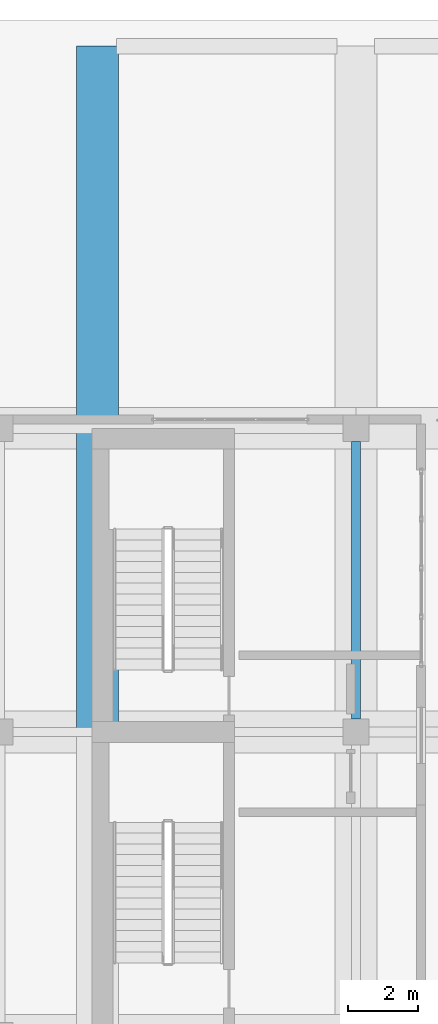
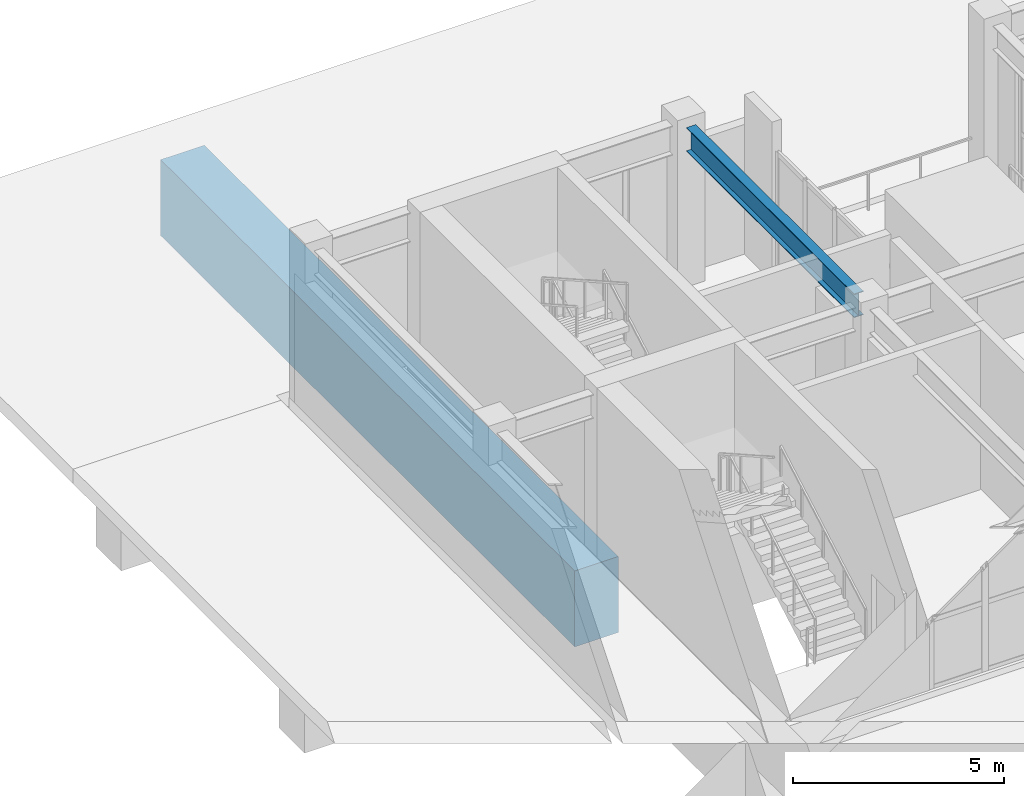
# One storey, part 8 of 16: 2 beams.
"""IFC4 building model written with IfcOpenShell, lengths in metres."""

import ifcopenshell
import ifcopenshell.guid

model = None  # the IFC model being written
_history = None  # IfcOwnerHistory: only IFC2X3 demands one
_inside = {}  # id of a spatial element -> (the spatial element, [elements in it])
_under = {}  # id of a project, library or spatial element -> (it, [spatial elements below it])
_declared = {}  # id of a project -> (the project, [libraries it declares])
_typed = {}  # id of a type object -> (the type object, [elements of that type])
_made_of = {}  # id of a material, layer set ... -> (it, [elements and type objects made of it])


def new_model(schema):
    """Start an empty IFC model of exactly this schema.

    Asked for "IFC4X3", IfcOpenShell would pick the latest addendum, in which some entities
    have other attributes; the version numbers below select the first issue.
    IFC2X3 requires an IfcOwnerHistory on every rooted entity: one is made here for all.
    """
    global model, _history
    if schema == "IFC4X3":
        model = ifcopenshell.file(schema_version=(4, 3, 0, 0))
    else:
        model = ifcopenshell.file(schema=schema)
    _inside.clear()
    _under.clear()
    _declared.clear()
    _typed.clear()
    _made_of.clear()
    _history = None
    if model.schema == "IFC2X3":
        org = make("IfcOrganization", Name="unknown")
        user = make(
            "IfcPersonAndOrganization",
            ThePerson=make("IfcPerson", FamilyName="unknown"),
            TheOrganization=org,
        )
        app = make(
            "IfcApplication",
            ApplicationDeveloper=org,
            Version="unknown",
            ApplicationFullName="unknown",
            ApplicationIdentifier="unknown",
        )
        _history = make(
            "IfcOwnerHistory",
            OwningUser=user,
            OwningApplication=app,
            ChangeAction="ADDED",
            CreationDate=0,
        )
    return model


def make(cls, **values):
    """One entity of the class cls with the attributes given. An attribute that is None is left unset."""
    return model.create_entity(
        cls, **{name: value for name, value in values.items() if value is not None}
    )


def rooted(cls, **values):
    """An entity with a GlobalId (a new one), such as an element, a storey or a relation."""
    return make(cls, GlobalId=ifcopenshell.guid.new(), OwnerHistory=_history, **values)


def si_unit(unit_type, name, prefix=None):
    """IfcSIUnit, for example si_unit("LENGTHUNIT", "METRE", prefix="MILLI")."""
    return make("IfcSIUnit", UnitType=unit_type, Prefix=prefix, Name=name)


def assignment(units):
    """IfcUnitAssignment: the units of a project."""
    return None if units is None else make("IfcUnitAssignment", Units=units)


def point(xyz):
    """IfcCartesianPoint."""
    return None if xyz is None else make("IfcCartesianPoint", Coordinates=xyz)


def direction(xyz):
    """IfcDirection."""
    return None if xyz is None else make("IfcDirection", DirectionRatios=xyz)


def frame(location, z_axis=None, x_axis=None):
    """IfcAxis2Placement3D, a coordinate frame: its origin and axes. An axis left out is left unset."""
    return make(
        "IfcAxis2Placement3D",
        Location=point(location),
        Axis=direction(z_axis),
        RefDirection=direction(x_axis),
    )


def frame_2d(location, x_axis=None):
    """IfcAxis2Placement2D, a coordinate frame in the plane: its origin and x axis."""
    return make(
        "IfcAxis2Placement2D", Location=point(location), RefDirection=direction(x_axis)
    )


def origin():
    """The frame at (0, 0, 0) with its axes left unset."""
    return frame((0.0, 0.0, 0.0))


def origin_2d():
    """The frame at (0, 0) in the plane with its x axis left unset."""
    return frame_2d((0.0, 0.0))


def place(relative_to, where):
    """IfcLocalPlacement: puts the frame where relative to a parent placement (None: the world)."""
    return make(
        "IfcLocalPlacement", PlacementRelTo=relative_to, RelativePlacement=where
    )


def context(
    kind, dimensions, precision=None, world=None, true_north=None, identifier=None
):
    """IfcGeometricRepresentationContext, for example the 3D "Model" context."""
    return make(
        "IfcGeometricRepresentationContext",
        ContextIdentifier=identifier,
        ContextType=kind,
        CoordinateSpaceDimension=dimensions,
        Precision=precision,
        WorldCoordinateSystem=world,
        TrueNorth=true_north,
    )


def subcontext(parent, identifier, kind, view, scale=None):
    """IfcGeometricRepresentationSubContext, for example "Body" below "Model"."""
    return make(
        "IfcGeometricRepresentationSubContext",
        ContextIdentifier=identifier,
        ContextType=kind,
        ParentContext=parent,
        TargetScale=scale,
        TargetView=view,
    )


def project(units=None, contexts=None):
    """IfcProject with its units and contexts."""
    return rooted(
        "IfcProject",
        Name="project",
        RepresentationContexts=contexts,
        UnitsInContext=assignment(units),
    )


def spatial(cls, under=None, at=None, **own):
    """A site, building, storey or space (cls), placed at a placement, below another one or the project."""
    s = rooted(cls, ObjectPlacement=at, **own)
    if under is not None:
        _under.setdefault(under.id(), (under, []))[1].append(s)
    return s


def profile(cls, at=None, kind="AREA", **sizes):
    """A parametric profile (cls). Its sizes go by their IFC names, for example OverallWidth=200.0."""
    return make(cls, ProfileType=kind, Position=at, **sizes)


def rectangle(**sizes):
    """IfcRectangleProfileDef."""
    return profile("IfcRectangleProfileDef", **sizes)


def i_section(**sizes):
    """IfcIShapeProfileDef."""
    return profile("IfcIShapeProfileDef", **sizes)


def extrude(swept, where, along, depth):
    """IfcExtrudedAreaSolid: the profile swept, set in the frame where, extruded along a direction by depth."""
    return make(
        "IfcExtrudedAreaSolid",
        SweptArea=swept,
        Position=where,
        ExtrudedDirection=direction(along),
        Depth=depth,
    )


def shape(context_of_items, identifier, shape_type, items):
    """IfcShapeRepresentation: the items that make up one representation, for example the "Body"."""
    return make(
        "IfcShapeRepresentation",
        ContextOfItems=context_of_items,
        RepresentationIdentifier=identifier,
        RepresentationType=shape_type,
        Items=items,
    )


def material(Name=None, Category=None):
    """IfcMaterial."""
    return make("IfcMaterial", Name=Name, Category=Category)


def material_profile(
    of_material, cross_section, Name=None, Category=None, Priority=None
):
    """IfcMaterialProfile: a cross section and its material."""
    return make(
        "IfcMaterialProfile",
        Name=Name,
        Material=of_material,
        Profile=cross_section,
        Priority=Priority,
        Category=Category,
    )


def profile_set(profiles, Name=None, composite=None):
    """IfcMaterialProfileSet."""
    return make(
        "IfcMaterialProfileSet",
        Name=Name,
        MaterialProfiles=profiles,
        CompositeProfile=composite,
    )


def made_of(thing, what):
    """Note that an element or type object is made of a material, layer set ...; save() writes the relation."""
    if what is not None:
        _made_of.setdefault(what.id(), (what, []))[1].append(thing)
    return thing


def type_object(cls, material=None, **own):
    """A type object (cls), such as IfcWallType, which elements share."""
    return made_of(rooted(cls, **own), material)


def element(
    cls,
    number,
    at=None,
    inside=None,
    cuts=None,
    type_object=None,
    material=None,
    context=None,
    identifier="Body",
    shape_type=None,
    held_by="IfcProductDefinitionShape",
    body=None,
    shapes=None,
    **own,
):
    """One element of the class cls, such as IfcWall. Its Tag is "e" and its number.

    at: its placement. inside: the storey or other place that contains it. cuts: it is an
    opening in that element (IfcRelVoidsElement). A single representation is given by context,
    identifier, shape_type and body (its items); several are given by shapes. held_by: the class
    of the entity that holds the representations. save() writes the other relations.
    """
    e = rooted(cls, Tag="e%d" % number, ObjectPlacement=at, **own)
    if body is not None:
        shapes = [shape(context, identifier, shape_type, body)]
    if shapes is not None:
        e.Representation = make(held_by, Representations=shapes)
    if inside is not None:
        _inside.setdefault(inside.id(), (inside, []))[1].append(e)
    if cuts is not None:
        rooted(
            "IfcRelVoidsElement", RelatingBuildingElement=cuts, RelatedOpeningElement=e
        )
    if type_object is not None:
        _typed.setdefault(type_object.id(), (type_object, []))[1].append(e)
    return made_of(e, material)


def aggregate(whole, parts):
    """IfcRelAggregates: a whole, such as a stair, and the parts it consists of."""
    return rooted("IfcRelAggregates", RelatingObject=whole, RelatedObjects=parts)


def save(model, path):
    """Write the relations noted so far, then the file.

    IfcRelAggregates (storeys below a building ...), IfcRelContainedInSpatialStructure (elements
    in a storey), IfcRelDefinesByType, IfcRelAssociatesMaterial and IfcRelDeclares: one each for
    every whole, place, type object, material and project.
    """
    for whole, parts in _under.values():
        aggregate(whole, parts)
    for where, things in _inside.values():
        rooted(
            "IfcRelContainedInSpatialStructure",
            RelatedElements=things,
            RelatingStructure=where,
        )
    for kind, things in _typed.values():
        rooted("IfcRelDefinesByType", RelatedObjects=things, RelatingType=kind)
    for what, things in _made_of.values():
        rooted("IfcRelAssociatesMaterial", RelatedObjects=things, RelatingMaterial=what)
    for by, libraries in _declared.values():
        rooted("IfcRelDeclares", RelatingContext=by, RelatedDefinitions=libraries)
    model.write(path)


model = new_model("IFC4")

# Units and contexts
model_context = context("Model", 3, precision=1e-05, world=origin(), true_north=direction((0.0, 1.0)))
body_context = subcontext(model_context, "Body", "Model", "MODEL_VIEW")
ifc_project = project(units=[si_unit("LENGTHUNIT", "METRE"), si_unit("AREAUNIT", "SQUARE_METRE"), si_unit("VOLUMEUNIT", "CUBIC_METRE"), si_unit("PLANEANGLEUNIT", "RADIAN"), si_unit("MASSUNIT", "GRAM", prefix="KILO")], contexts=[model_context])

# Site, building, storey
site_placement = place(None, origin())
site = spatial("IfcSite", under=ifc_project, at=site_placement, CompositionType="ELEMENT")
building_placement = place(site_placement, origin())
building = spatial("IfcBuilding", under=site, at=building_placement, Name="Solanera Arch Residences", CompositionType="ELEMENT")
storey_placement = place(building_placement, frame((0.0, 0.0, 278.080078125)))
storey = spatial("IfcBuildingStorey", under=building, at=storey_placement, Name="L80", CompositionType="ELEMENT", Elevation=278.080078125)

# Beams
ifc_material_1 = material(Name="Steel S355 (ASTM A992 / A572 Grade 50)", Category="steel")
ifc_material_profile_1 = material_profile(ifc_material_1, i_section(OverallWidth=0.256103515625, OverallDepth=0.693115234375, WebThickness=0.014404296875, FlangeThickness=0.023681640625, at=origin_2d()))
ifc_profile_set_1 = profile_set([ifc_material_profile_1], Name="Steel S355 (ASTM A992 / A572 Grade 50)")
beam_type_1 = type_object("IfcBeamType", Name="Primary Beam W690X170", PredefinedType="BEAM", material=ifc_profile_set_1)
beam_1_placement = place(storey_placement, frame((20.800048828125, 31.074951171875, 4.27294921875), z_axis=(0.0, 1.0, 0.0), x_axis=(-1.0, 0.0, 0.0)))
element("IfcBeam", 1, at=beam_1_placement, inside=storey, type_object=beam_type_1, Name="BM-L80-CR-W4", PredefinedType="BEAM", context=body_context, shape_type="SweptSolid", body=[
    extrude(i_section(OverallWidth=0.256103515625, OverallDepth=0.693115234375, WebThickness=0.014404296875, FlangeThickness=0.023681640625, at=origin_2d()), origin(), (0.0, 0.0, 1.0), 7.949951171875),
])
ifc_material_2 = material(Name="Concrete C55/67 (f'c = 60 MPa)", Category="concrete")
ifc_material_profile_2 = material_profile(ifc_material_2, rectangle(XDim=1.199951171875, YDim=2.199951171875, at=origin_2d()))
ifc_profile_set_2 = profile_set([ifc_material_profile_2], Name="Concrete C55/67 (f'c = 60 MPa)")
beam_type_2 = type_object("IfcBeamType", Name="Transfer Girder RC-BM-1200X2200", PredefinedType="BEAM", material=ifc_profile_set_2)
beam_2_placement = place(storey_placement, frame((13.39990234375, 30.699951171875, -1.52001953125), z_axis=(0.0, 1.0, 0.0), x_axis=(-1.0, 0.0, 0.0)))
element("IfcBeam", 2, at=beam_2_placement, inside=storey, type_object=beam_type_2, Name="BM-L80-CRX-NSN-134", PredefinedType="BEAM", context=body_context, shape_type="SweptSolid", body=[
    extrude(rectangle(XDim=1.199951171875, YDim=2.199951171875, at=origin_2d()), origin(), (0.0, 0.0, 1.0), 19.650146484375),
])

save(model, "model.ifc")
